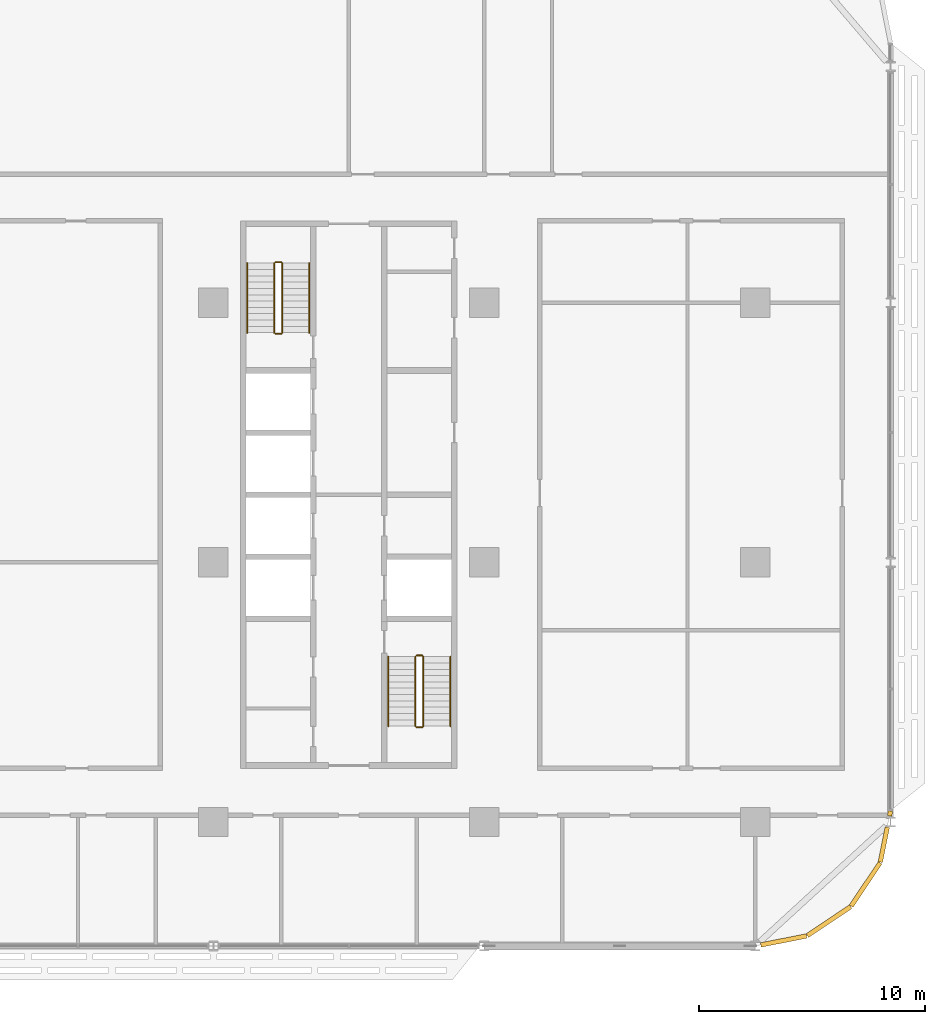
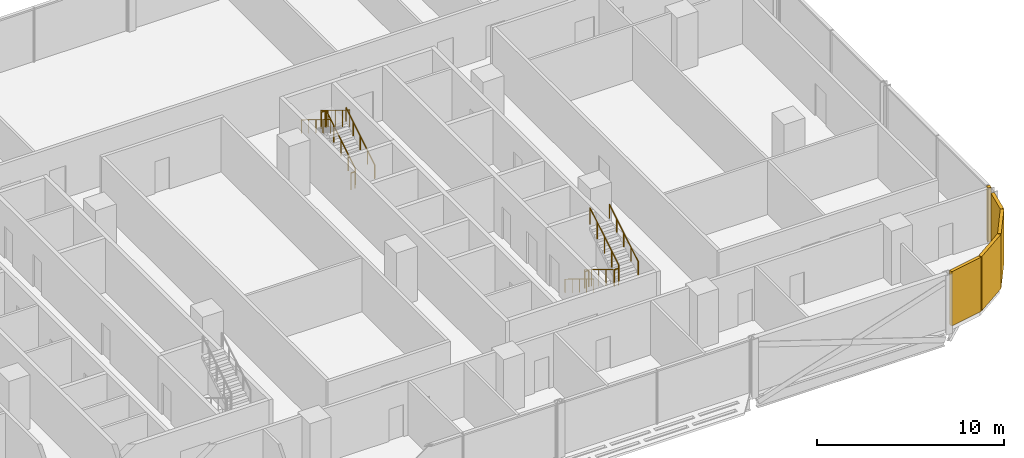
# One storey, part 28 of 29: 12 railings, 5 coverings.
"""IFC4 building model written with IfcOpenShell, lengths in metres."""

from ifc_helpers import new_model, si_unit, direction, frame, origin, origin_2d, place, context, subcontext, project, spatial, rectangle, circle, extrude, material, layer, layer_set, type_object, element, save


model = new_model("IFC4")

# Units and contexts
model_context = context("Model", 3, precision=1e-05, world=origin(), true_north=direction((0.0, 1.0)))
body_context = subcontext(model_context, "Body", "Model", "MODEL_VIEW")
ifc_project = project(units=[si_unit("LENGTHUNIT", "METRE"), si_unit("AREAUNIT", "SQUARE_METRE"), si_unit("VOLUMEUNIT", "CUBIC_METRE"), si_unit("PLANEANGLEUNIT", "RADIAN"), si_unit("MASSUNIT", "GRAM", prefix="KILO")], contexts=[model_context])

# Site, building, storey
site_placement = place(None, origin())
site = spatial("IfcSite", under=ifc_project, at=site_placement, CompositionType="ELEMENT")
building_placement = place(site_placement, origin())
building = spatial("IfcBuilding", under=site, at=building_placement, Name="Mahtab Terrace Research Tower", CompositionType="ELEMENT")
storey_placement = place(building_placement, frame((0.0, 0.0, 150.699951171875)))
storey = spatial("IfcBuildingStorey", under=building, at=storey_placement, Name="L35", CompositionType="ELEMENT", Elevation=150.699951171875)

# Coverings
ifc_material_1 = material(Name="Black aluminium cladding panel", Category="aluminium")
ifc_layer = layer(ifc_material_1, 0.199951171875)
ifc_layer_set = layer_set([ifc_layer], Name="Black metal corner cladding 200")
covering_type = type_object("IfcCoveringType", Name="Black metal corner cladding 200", PredefinedType="CLADDING", material=ifc_layer_set)
covering_1_placement = place(storey_placement, frame((43.263916015625, -16.74853515625, 0.0), z_axis=(0.0, 0.0, 1.0), x_axis=(0.980760981187, 0.195212442692, 0.0)))
element("IfcCovering", 1, at=covering_1_placement, inside=storey, type_object=covering_type, Name="Corner cladding L35 31", PredefinedType="CLADDING", context=body_context, shape_type="SweptSolid", body=[
    extrude(rectangle(XDim=2.064697265625, YDim=0.199951171875, at=origin_2d()), origin(), (0.0, 0.0, 1.0), 3.550048828125),
])
for number, where, z_axis, x_axis, name in (
    (2, (45.26953125, -15.89306640625, 0.0), (0.0, 0.0, 1.0), (0.831655794326, 0.555291490808, 0.0), "Corner cladding L35 32"),
    (3, (46.89306640625, -14.26953125, 0.0), (0.0, 0.0, 1.0), (0.555291490808, 0.831655794326, 0.0), "Corner cladding L35 33"),
):
    element("IfcCovering", number, at=place(storey_placement, frame(where, z_axis=z_axis, x_axis=x_axis)), inside=storey, type_object=covering_type, Name=name, PredefinedType="CLADDING", context=body_context, shape_type="SweptSolid", body=[
        extrude(rectangle(XDim=2.30126953125, YDim=0.199951171875, at=origin_2d()), origin(), (0.0, 0.0, 1.0), 3.550048828125),
    ])
covering_2_placement = place(storey_placement, frame((47.700439453125, -12.50439453125, 0.0), z_axis=(0.0, 0.0, 1.0), x_axis=(0.195212442692, 0.980760981187, 0.0)))
element("IfcCovering", 4, at=covering_2_placement, inside=storey, type_object=covering_type, Name="Corner cladding L35 34", PredefinedType="CLADDING", context=body_context, shape_type="SweptSolid", body=[
    extrude(rectangle(XDim=1.574462890625, YDim=0.199951171875, at=origin_2d()), origin(), (0.0, 0.0, 1.0), 3.550048828125),
])
covering_3_placement = place(storey_placement, frame((47.97607421875, -11.11962890625, 0.0), z_axis=(0.0, 0.0, 1.0), x_axis=(0.195212442692, 0.980760981187, 0.0)))
element("IfcCovering", 5, at=covering_3_placement, inside=storey, type_object=covering_type, Name="Corner cladding L35 35", PredefinedType="CLADDING", context=body_context, shape_type="SweptSolid", body=[
    extrude(rectangle(XDim=0.22412109375, YDim=0.199951171875, at=origin_2d()), origin(), (0.0, 0.0, 1.0), 3.550048828125),
])

# Railings
ifc_material_2 = material(Name="Stainless steel AISI 304", Category="steel")
railing_type_1 = type_object("IfcRailingType", Name="Stair guard 1100", PredefinedType="GUARDRAIL", material=ifc_material_2)
railing_1_placement = place(storey_placement, frame((21.050048828125, 10.175048828125, 0.1708984375)))
element("IfcRailing", 6, at=railing_1_placement, inside=storey, type_object=railing_type_1, Name="L35 ST3 stair guard 1", PredefinedType="GUARDRAIL", context=body_context, shape_type="SweptSolid", body=[
    extrude(circle(Radius=0.02392578125, at=origin_2d()), frame((0.0, 0.0, 1.076171875), z_axis=(0.0, 0.853647949592, 0.520850437417), x_axis=(-1.0, 0.0, 0.0)), (0.0, 0.0, 1.0), 3.60791015625),
    extrude(circle(Radius=0.02099609375, at=origin_2d()), origin(), (0.0, 0.0, 1.0), 1.052001953125),
    extrude(circle(Radius=0.02099609375, at=origin_2d()), frame((0.0, 0.77001953125, 0.4697265625)), (0.0, 0.0, 1.0), 1.052001953125),
    extrude(circle(Radius=0.02099609375, at=origin_2d()), frame((0.0, 1.5400390625, 0.939453125)), (0.0, 0.0, 1.0), 1.052001953125),
    extrude(circle(Radius=0.02099609375, at=origin_2d()), frame((0.0, 2.309814453125, 1.409423828125)), (0.0, 0.0, 1.0), 1.052001953125),
    extrude(circle(Radius=0.02099609375, at=origin_2d()), frame((0.0, 3.079833984375, 1.879150390625)), (0.0, 0.0, 1.0), 1.052001953125),
])
railing_2_placement = place(storey_placement, frame((21.0, 13.304931640625, 2.050048828125)))
element("IfcRailing", 7, at=railing_2_placement, inside=storey, type_object=railing_type_1, Name="L35 ST3 stair guard 2", PredefinedType="GUARDRAIL", context=body_context, shape_type="SweptSolid", body=[
    extrude(circle(Radius=0.02392578125, at=origin_2d()), frame((0.0, 0.0, 1.076171875), z_axis=(-1.0, 0.0, 0.0), x_axis=(0.0, -1.0, 0.0)), (0.0, 0.0, 1.0), 0.25),
    extrude(circle(Radius=0.02099609375, at=origin_2d()), origin(), (0.0, 0.0, 1.0), 1.052001953125),
    extrude(circle(Radius=0.02099609375, at=origin_2d()), frame((-0.25, 0.0, 0.0)), (0.0, 0.0, 1.0), 1.052001953125),
])
railing_3_placement = place(storey_placement, frame((20.699951171875, 13.2548828125, 2.220947265625)))
element("IfcRailing", 8, at=railing_3_placement, inside=storey, type_object=railing_type_1, Name="L35 ST3 stair guard 3", PredefinedType="GUARDRAIL", context=body_context, shape_type="SweptSolid", body=[
    extrude(circle(Radius=0.02392578125, at=origin_2d()), frame((0.0, 0.0, 1.076171875), z_axis=(0.0, -0.853647949592, 0.520850437417), x_axis=(1.0, 0.0, 0.0)), (0.0, 0.0, 1.0), 3.60791015625),
    extrude(circle(Radius=0.02099609375, at=origin_2d()), origin(), (0.0, 0.0, 1.0), 1.052001953125),
    extrude(circle(Radius=0.02099609375, at=origin_2d()), frame((0.0, -0.77001953125, 0.4697265625)), (0.0, 0.0, 1.0), 1.052001953125),
    extrude(circle(Radius=0.02099609375, at=origin_2d()), frame((0.0, -1.5400390625, 0.939453125)), (0.0, 0.0, 1.0), 1.052001953125),
    extrude(circle(Radius=0.02099609375, at=origin_2d()), frame((0.0, -2.309814453125, 1.409423828125)), (0.0, 0.0, 1.0), 1.052001953125),
    extrude(circle(Radius=0.02099609375, at=origin_2d()), frame((0.0, -3.079833984375, 1.879150390625)), (0.0, 0.0, 1.0), 1.052001953125),
])
railing_4_placement = place(storey_placement, frame((21.0, 10.125, 0.0)))
element("IfcRailing", 9, at=railing_4_placement, inside=storey, type_object=railing_type_1, Name="L35 ST3 stair guard 4", PredefinedType="GUARDRAIL", context=body_context, shape_type="SweptSolid", body=[
    extrude(circle(Radius=0.02392578125, at=origin_2d()), frame((0.0, 0.0, 1.076171875), z_axis=(-1.0, 0.0, 0.0), x_axis=(0.0, -1.0, 0.0)), (0.0, 0.0, 1.0), 0.25),
    extrude(circle(Radius=0.02099609375, at=origin_2d()), origin(), (0.0, 0.0, 1.0), 1.052001953125),
    extrude(circle(Radius=0.02099609375, at=origin_2d()), frame((-0.25, 0.0, 0.0)), (0.0, 0.0, 1.0), 1.052001953125),
])
railing_5_placement = place(storey_placement, frame((26.949951171875, -4.175048828125, 0.1708984375)))
element("IfcRailing", 10, at=railing_5_placement, inside=storey, type_object=railing_type_1, Name="L35 ST4 stair guard 1", PredefinedType="GUARDRAIL", context=body_context, shape_type="SweptSolid", body=[
    extrude(circle(Radius=0.02392578125, at=origin_2d()), frame((0.0, 0.0, 1.076171875), z_axis=(0.0, -0.853647949592, 0.520850437417), x_axis=(1.0, 0.0, 0.0)), (0.0, 0.0, 1.0), 3.60791015625),
    extrude(circle(Radius=0.02099609375, at=origin_2d()), origin(), (0.0, 0.0, 1.0), 1.052001953125),
    extrude(circle(Radius=0.02099609375, at=origin_2d()), frame((0.0, -0.77001953125, 0.4697265625)), (0.0, 0.0, 1.0), 1.052001953125),
    extrude(circle(Radius=0.02099609375, at=origin_2d()), frame((0.0, -1.5400390625, 0.939453125)), (0.0, 0.0, 1.0), 1.052001953125),
    extrude(circle(Radius=0.02099609375, at=origin_2d()), frame((0.0, -2.309814453125, 1.409423828125)), (0.0, 0.0, 1.0), 1.052001953125),
    extrude(circle(Radius=0.02099609375, at=origin_2d()), frame((0.0, -3.079833984375, 1.879150390625)), (0.0, 0.0, 1.0), 1.052001953125),
])
railing_6_placement = place(storey_placement, frame((27.0, -7.304931640625, 2.050048828125)))
element("IfcRailing", 11, at=railing_6_placement, inside=storey, type_object=railing_type_1, Name="L35 ST4 stair guard 2", PredefinedType="GUARDRAIL", context=body_context, shape_type="SweptSolid", body=[
    extrude(circle(Radius=0.02392578125, at=origin_2d()), frame((0.0, 0.0, 1.076171875), z_axis=(1.0, 0.0, 0.0), x_axis=(0.0, 1.0, 0.0)), (0.0, 0.0, 1.0), 0.25),
    extrude(circle(Radius=0.02099609375, at=origin_2d()), origin(), (0.0, 0.0, 1.0), 1.052001953125),
    extrude(circle(Radius=0.02099609375, at=origin_2d()), frame((0.25, 0.0, 0.0)), (0.0, 0.0, 1.0), 1.052001953125),
])
railing_7_placement = place(storey_placement, frame((27.300048828125, -7.2548828125, 2.220947265625)))
element("IfcRailing", 12, at=railing_7_placement, inside=storey, type_object=railing_type_1, Name="L35 ST4 stair guard 3", PredefinedType="GUARDRAIL", context=body_context, shape_type="SweptSolid", body=[
    extrude(circle(Radius=0.02392578125, at=origin_2d()), frame((0.0, 0.0, 1.076171875), z_axis=(0.0, 0.853647949592, 0.520850437417), x_axis=(-1.0, 0.0, 0.0)), (0.0, 0.0, 1.0), 3.60791015625),
    extrude(circle(Radius=0.02099609375, at=origin_2d()), origin(), (0.0, 0.0, 1.0), 1.052001953125),
    extrude(circle(Radius=0.02099609375, at=origin_2d()), frame((0.0, 0.77001953125, 0.4697265625)), (0.0, 0.0, 1.0), 1.052001953125),
    extrude(circle(Radius=0.02099609375, at=origin_2d()), frame((0.0, 1.5400390625, 0.939453125)), (0.0, 0.0, 1.0), 1.052001953125),
    extrude(circle(Radius=0.02099609375, at=origin_2d()), frame((0.0, 2.309814453125, 1.409423828125)), (0.0, 0.0, 1.0), 1.052001953125),
    extrude(circle(Radius=0.02099609375, at=origin_2d()), frame((0.0, 3.079833984375, 1.879150390625)), (0.0, 0.0, 1.0), 1.052001953125),
])
railing_8_placement = place(storey_placement, frame((27.0, -4.125, 0.0)))
element("IfcRailing", 13, at=railing_8_placement, inside=storey, type_object=railing_type_1, Name="L35 ST4 stair guard 4", PredefinedType="GUARDRAIL", context=body_context, shape_type="SweptSolid", body=[
    extrude(circle(Radius=0.02392578125, at=origin_2d()), frame((0.0, 0.0, 1.076171875), z_axis=(1.0, 0.0, 0.0), x_axis=(0.0, 1.0, 0.0)), (0.0, 0.0, 1.0), 0.25),
    extrude(circle(Radius=0.02099609375, at=origin_2d()), origin(), (0.0, 0.0, 1.0), 1.052001953125),
    extrude(circle(Radius=0.02099609375, at=origin_2d()), frame((0.25, 0.0, 0.0)), (0.0, 0.0, 1.0), 1.052001953125),
])
railing_type_2 = type_object("IfcRailingType", Name="Stair handrail 900", PredefinedType="HANDRAIL", material=ifc_material_2)
railing_9_placement = place(storey_placement, frame((22.25, 10.175048828125, 0.1708984375)))
element("IfcRailing", 14, at=railing_9_placement, inside=storey, type_object=railing_type_2, Name="L35 ST3 stair handrail 1", PredefinedType="HANDRAIL", context=body_context, shape_type="SweptSolid", body=[
    extrude(circle(Radius=0.02392578125, at=origin_2d()), frame((0.0, 0.0, 0.8759765625), z_axis=(0.0, 0.853647949592, 0.520850437417), x_axis=(-1.0, 0.0, 0.0)), (0.0, 0.0, 1.0), 3.60791015625),
    extrude(circle(Radius=0.02099609375, at=origin_2d()), origin(), (0.0, 0.0, 1.0), 0.851806640625),
    extrude(circle(Radius=0.02099609375, at=origin_2d()), frame((0.0, 0.77001953125, 0.4697265625)), (0.0, 0.0, 1.0), 0.851806640625),
    extrude(circle(Radius=0.02099609375, at=origin_2d()), frame((0.0, 1.5400390625, 0.939453125)), (0.0, 0.0, 1.0), 0.851806640625),
    extrude(circle(Radius=0.02099609375, at=origin_2d()), frame((0.0, 2.309814453125, 1.409423828125)), (0.0, 0.0, 1.0), 0.851806640625),
    extrude(circle(Radius=0.02099609375, at=origin_2d()), frame((0.0, 3.079833984375, 1.879150390625)), (0.0, 0.0, 1.0), 0.851806640625),
])
for number, where, name in (
    (15, (19.5, 13.2548828125, 2.220947265625), "L35 ST3 stair handrail 2"),
    (16, (25.75, -4.175048828125, 0.1708984375), "L35 ST4 stair handrail 1"),
):
    element("IfcRailing", number, at=place(storey_placement, frame(where)), inside=storey, type_object=railing_type_2, Name=name, PredefinedType="HANDRAIL", context=body_context, shape_type="SweptSolid", body=[
        extrude(circle(Radius=0.02392578125, at=origin_2d()), frame((0.0, 0.0, 0.8759765625), z_axis=(0.0, -0.853647949592, 0.520850437417), x_axis=(1.0, 0.0, 0.0)), (0.0, 0.0, 1.0), 3.60791015625),
        extrude(circle(Radius=0.02099609375, at=origin_2d()), origin(), (0.0, 0.0, 1.0), 0.851806640625),
        extrude(circle(Radius=0.02099609375, at=origin_2d()), frame((0.0, -0.77001953125, 0.4697265625)), (0.0, 0.0, 1.0), 0.851806640625),
        extrude(circle(Radius=0.02099609375, at=origin_2d()), frame((0.0, -1.5400390625, 0.939453125)), (0.0, 0.0, 1.0), 0.851806640625),
        extrude(circle(Radius=0.02099609375, at=origin_2d()), frame((0.0, -2.309814453125, 1.409423828125)), (0.0, 0.0, 1.0), 0.851806640625),
        extrude(circle(Radius=0.02099609375, at=origin_2d()), frame((0.0, -3.079833984375, 1.879150390625)), (0.0, 0.0, 1.0), 0.851806640625),
    ])
railing_10_placement = place(storey_placement, frame((28.5, -7.2548828125, 2.220947265625)))
element("IfcRailing", 17, at=railing_10_placement, inside=storey, type_object=railing_type_2, Name="L35 ST4 stair handrail 2", PredefinedType="HANDRAIL", context=body_context, shape_type="SweptSolid", body=[
    extrude(circle(Radius=0.02392578125, at=origin_2d()), frame((0.0, 0.0, 0.8759765625), z_axis=(0.0, 0.853647949592, 0.520850437417), x_axis=(-1.0, 0.0, 0.0)), (0.0, 0.0, 1.0), 3.60791015625),
    extrude(circle(Radius=0.02099609375, at=origin_2d()), origin(), (0.0, 0.0, 1.0), 0.851806640625),
    extrude(circle(Radius=0.02099609375, at=origin_2d()), frame((0.0, 0.77001953125, 0.4697265625)), (0.0, 0.0, 1.0), 0.851806640625),
    extrude(circle(Radius=0.02099609375, at=origin_2d()), frame((0.0, 1.5400390625, 0.939453125)), (0.0, 0.0, 1.0), 0.851806640625),
    extrude(circle(Radius=0.02099609375, at=origin_2d()), frame((0.0, 2.309814453125, 1.409423828125)), (0.0, 0.0, 1.0), 0.851806640625),
    extrude(circle(Radius=0.02099609375, at=origin_2d()), frame((0.0, 3.079833984375, 1.879150390625)), (0.0, 0.0, 1.0), 0.851806640625),
])

save(model, "model.ifc")
